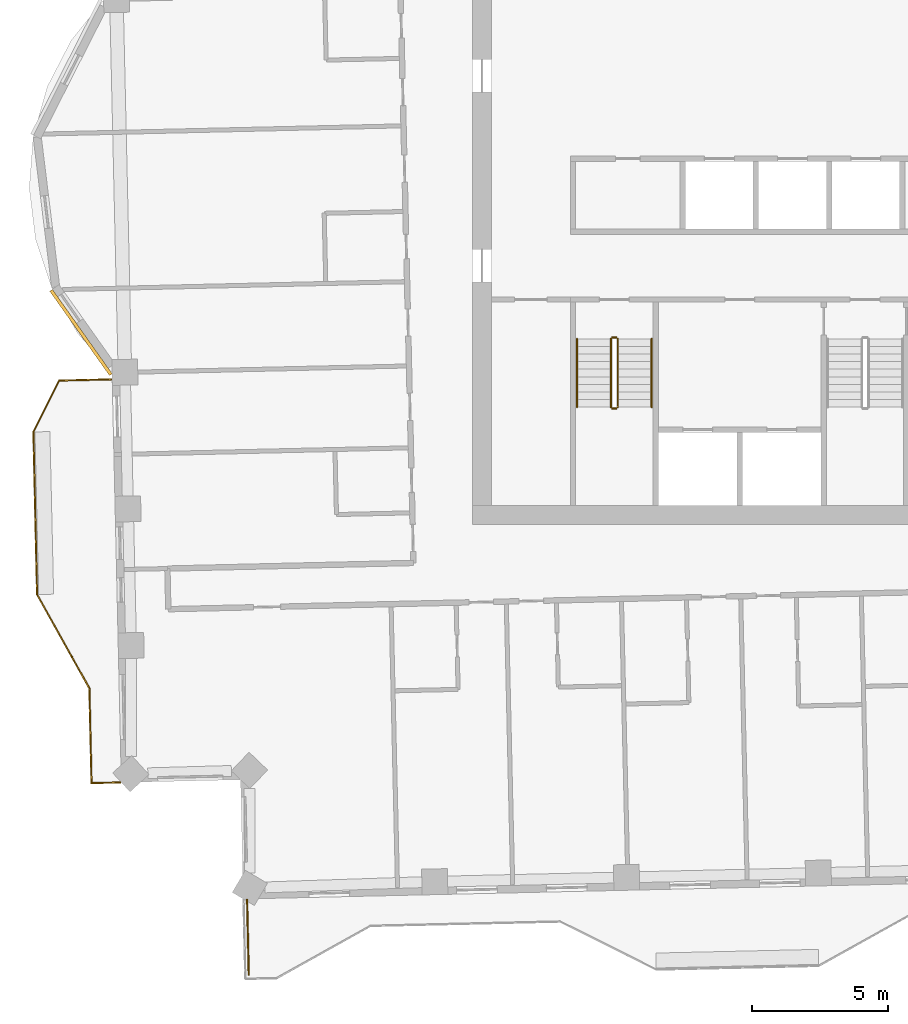
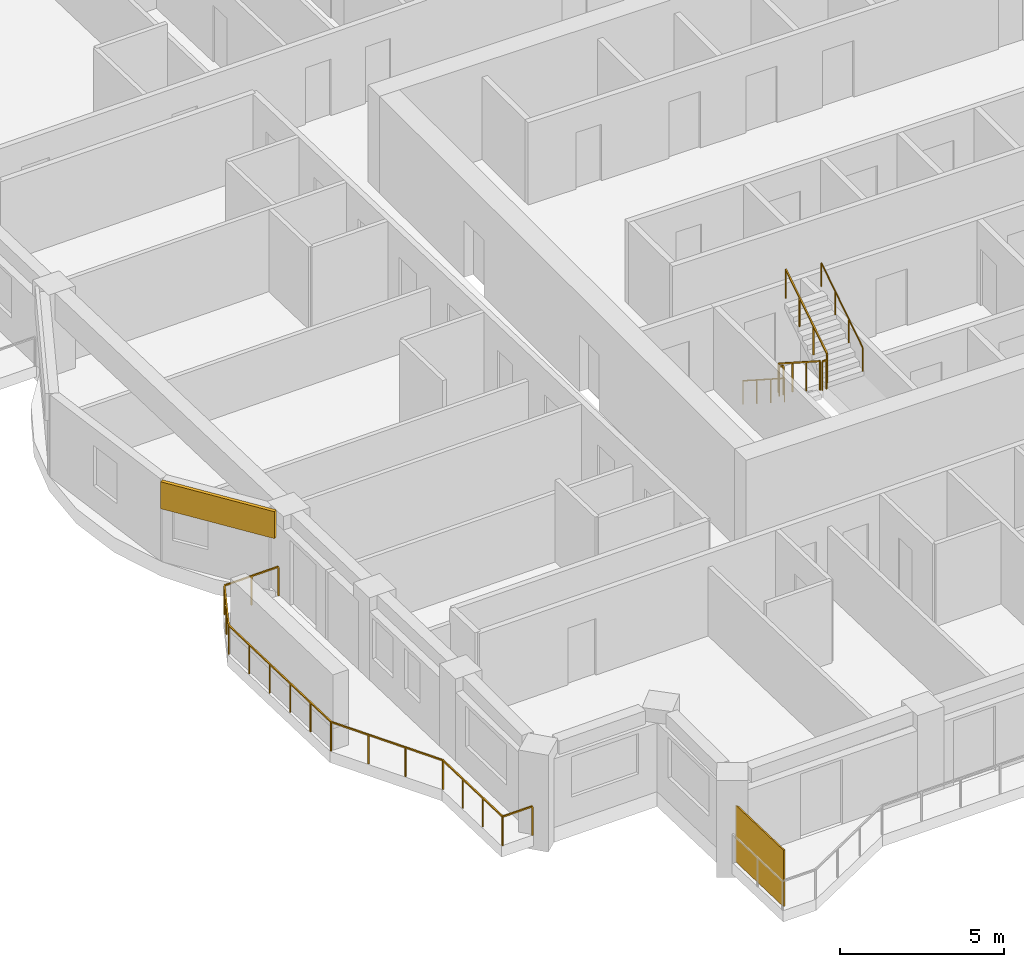
# One storey, part 16 of 20: 7 railings, 1 covering, 1 shading device.
"""IFC4 building model written with IfcOpenShell, lengths in metres."""

from ifc_helpers import new_model, si_unit, direction, frame, frame_2d, origin, origin_2d, place, context, subcontext, project, spatial, rectangle, circle, extrude, material, layer, layer_set, type_object, element, save


model = new_model("IFC4")

# Units and contexts
model_context = context("Model", 3, precision=1e-05, world=origin(), true_north=direction((0.0, 1.0)))
body_context = subcontext(model_context, "Body", "Model", "MODEL_VIEW")
ifc_project = project(units=[si_unit("LENGTHUNIT", "METRE"), si_unit("AREAUNIT", "SQUARE_METRE"), si_unit("VOLUMEUNIT", "CUBIC_METRE"), si_unit("PLANEANGLEUNIT", "RADIAN"), si_unit("MASSUNIT", "GRAM", prefix="KILO")], contexts=[model_context])

# Site, building, storey
site_placement = place(None, origin())
site = spatial("IfcSite", under=ifc_project, at=site_placement, CompositionType="ELEMENT")
building_placement = place(site_placement, origin())
building = spatial("IfcBuilding", under=site, at=building_placement, Name="Mangrove Gate Tower", CompositionType="ELEMENT")
storey_placement = place(building_placement, frame((0.0, 0.0, 279.89990234375)))
storey = spatial("IfcBuildingStorey", under=building, at=storey_placement, Name="L71", CompositionType="ELEMENT", Elevation=279.89990234375)

# Railing
ifc_material_1 = material(Name="Stainless steel grade 316 with laminated glass infill", Category="steel")
railing_type_1 = type_object("IfcRailingType", Name="Balcony guard 1100", PredefinedType="GUARDRAIL", material=ifc_material_1)
railing_1_placement = place(storey_placement, frame((-27.839111328125, -6.14501953125, 0.0)))
element("IfcRailing", 1, at=railing_1_placement, inside=storey, type_object=railing_type_1, Name="GUARD L71 W2", PredefinedType="GUARDRAIL", context=body_context, shape_type="SweptSolid", body=[
    extrude(rectangle(XDim=0.048095703125, YDim=0.048095703125, at=origin_2d()), frame((0.0, 0.0, 1.076171875), z_axis=(-0.999737613728, -0.02290641172, 0.0), x_axis=(0.02290641172, -0.999737613728, 0.0)), (0.0, 0.0, 1.0), 1.91845703125),
    extrude(rectangle(XDim=0.048095703125, YDim=0.048095703125, at=origin_2d()), frame((-1.91796875, -0.0439453125, 1.076171875), z_axis=(-0.4472135955, -0.894427191, 0.0), x_axis=(0.894427191, -0.4472135955, 0.0)), (0.0, 0.0, 1.0), 2.119873046875),
    extrude(rectangle(XDim=0.048095703125, YDim=0.048095703125, at=origin_2d()), frame((-2.865966796875, -1.93994140625, 1.076171875), z_axis=(0.022662255828, -0.999743178102, 0.0), x_axis=(0.999743178102, 0.022662255828, 0.0)), (0.0, 0.0, 1.0), 6.00048828125),
    extrude(rectangle(XDim=0.048095703125, YDim=0.048095703125, at=origin_2d()), frame((-2.72998046875, -7.93896484375, 1.076171875), z_axis=(0.487307108654, -0.873230657876, 0.0), x_axis=(0.873230657876, 0.487307108654, 0.0)), (0.0, 0.0, 1.0), 3.958984375),
    extrude(rectangle(XDim=0.048095703125, YDim=0.048095703125, at=origin_2d()), frame((-0.80078125, -11.39599609375, 1.076171875), z_axis=(0.022531258923, -0.999746138963, 0.0), x_axis=(0.999746138963, 0.022531258923, 0.0)), (0.0, 0.0, 1.0), 3.5),
    extrude(rectangle(XDim=0.048095703125, YDim=0.048095703125, at=origin_2d()), frame((-0.721923828125, -14.89501953125, 1.076171875), z_axis=(0.999745389313, 0.022564497502, 0.0), x_axis=(-0.022564497502, 0.999745389313, 0.0)), (0.0, 0.0, 1.0), 1.060302734375),
    extrude(rectangle(XDim=0.0419921875, YDim=0.0419921875, at=origin_2d()), origin(), (0.0, 0.0, 1.0), 1.052001953125),
    extrude(rectangle(XDim=0.0419921875, YDim=0.0419921875, at=origin_2d()), frame((-0.958984375, -0.02197265625, 0.0)), (0.0, 0.0, 1.0), 1.052001953125),
    extrude(rectangle(XDim=0.0419921875, YDim=0.0419921875, at=origin_2d()), frame((-1.91796875, -0.0439453125, 0.0)), (0.0, 0.0, 1.0), 1.052001953125),
    extrude(rectangle(XDim=0.0419921875, YDim=0.0419921875, at=origin_2d()), frame((-2.39208984375, -0.991943359375, 0.0)), (0.0, 0.0, 1.0), 1.052001953125),
    extrude(rectangle(XDim=0.0419921875, YDim=0.0419921875, at=origin_2d()), frame((-2.865966796875, -1.93994140625, 0.0)), (0.0, 0.0, 1.0), 1.052001953125),
    extrude(rectangle(XDim=0.0419921875, YDim=0.0419921875, at=origin_2d()), frame((-2.8388671875, -3.1396484375, 0.0)), (0.0, 0.0, 1.0), 1.052001953125),
    extrude(rectangle(XDim=0.0419921875, YDim=0.0419921875, at=origin_2d()), frame((-2.8115234375, -4.339599609375, 0.0)), (0.0, 0.0, 1.0), 1.052001953125),
    extrude(rectangle(XDim=0.0419921875, YDim=0.0419921875, at=origin_2d()), frame((-2.784423828125, -5.539306640625, 0.0)), (0.0, 0.0, 1.0), 1.052001953125),
    extrude(rectangle(XDim=0.0419921875, YDim=0.0419921875, at=origin_2d()), frame((-2.757080078125, -6.7392578125, 0.0)), (0.0, 0.0, 1.0), 1.052001953125),
    extrude(rectangle(XDim=0.0419921875, YDim=0.0419921875, at=origin_2d()), frame((-2.72998046875, -7.93896484375, 0.0)), (0.0, 0.0, 1.0), 1.052001953125),
    extrude(rectangle(XDim=0.0419921875, YDim=0.0419921875, at=origin_2d()), frame((-2.0869140625, -9.09130859375, 0.0)), (0.0, 0.0, 1.0), 1.052001953125),
    extrude(rectangle(XDim=0.0419921875, YDim=0.0419921875, at=origin_2d()), frame((-1.44384765625, -10.24365234375, 0.0)), (0.0, 0.0, 1.0), 1.052001953125),
    extrude(rectangle(XDim=0.0419921875, YDim=0.0419921875, at=origin_2d()), frame((-0.80078125, -11.39599609375, 0.0)), (0.0, 0.0, 1.0), 1.052001953125),
    extrude(rectangle(XDim=0.0419921875, YDim=0.0419921875, at=origin_2d()), frame((-0.7744140625, -12.562255859375, 0.0)), (0.0, 0.0, 1.0), 1.052001953125),
    extrude(rectangle(XDim=0.0419921875, YDim=0.0419921875, at=origin_2d()), frame((-0.748291015625, -13.728759765625, 0.0)), (0.0, 0.0, 1.0), 1.052001953125),
    extrude(rectangle(XDim=0.0419921875, YDim=0.0419921875, at=origin_2d()), frame((-0.721923828125, -14.89501953125, 0.0)), (0.0, 0.0, 1.0), 1.052001953125),
    extrude(rectangle(XDim=0.0419921875, YDim=0.0419921875, at=origin_2d()), frame((0.338134765625, -14.87109375, 0.0)), (0.0, 0.0, 1.0), 1.052001953125),
])

# Shading device
ifc_material_2 = material(Name="Timber slat screen in teak", Category="wood")
shading_device_type = type_object("IfcShadingDeviceType", Name="Balcony screen 2100", PredefinedType="USERDEFINED", material=ifc_material_2)
shading_device_placement = place(storey_placement, frame((-22.791015625, -26.72509765625, 0.0), z_axis=(0.0, 0.0, 1.0), x_axis=(0.022739679942, -0.999741420046, 0.0)))
element("IfcShadingDevice", 2, at=shading_device_placement, inside=storey, type_object=shading_device_type, Name="SCREEN L71 S0", ObjectType="SCREEN", PredefinedType="USERDEFINED", context=body_context, shape_type="SweptSolid", body=[
    extrude(rectangle(XDim=2.7900390625, YDim=0.050048828125, at=origin_2d()), origin(), (0.0, 0.0, 1.0), 2.10009765625),
])

# Railings
ifc_material_3 = material(Name="Stainless steel 316", Category="steel")
railing_type_2 = type_object("IfcRailingType", Name="Core stair guard 1100", PredefinedType="GUARDRAIL", material=ifc_material_3)
railing_2_placement = place(storey_placement, frame((-9.39990234375, -4.64990234375, 0.18017578125)))
element("IfcRailing", 3, at=railing_2_placement, inside=storey, type_object=railing_type_2, Name="L71 ST1 stair guard 1", PredefinedType="GUARDRAIL", context=body_context, shape_type="SweptSolid", body=[
    extrude(rectangle(XDim=0.048095703125, YDim=0.048095703125, at=origin_2d()), frame((0.0, 0.0, 1.076171875), z_axis=(0.0, -0.841199657755, 0.540724639528), x_axis=(1.0, 0.0, 0.0)), (0.0, 0.0, 1.0), 2.995849609375),
    extrude(rectangle(XDim=0.0419921875, YDim=0.0419921875, at=origin_2d()), origin(), (0.0, 0.0, 1.0), 1.052001953125),
    extrude(rectangle(XDim=0.0419921875, YDim=0.0419921875, at=origin_2d()), frame((0.0, -0.840087890625, 0.5400390625)), (0.0, 0.0, 1.0), 1.052001953125),
    extrude(rectangle(XDim=0.0419921875, YDim=0.0419921875, at=origin_2d()), frame((0.0, -1.679931640625, 1.079833984375)), (0.0, 0.0, 1.0), 1.052001953125),
    extrude(rectangle(XDim=0.0419921875, YDim=0.0419921875, at=origin_2d()), frame((0.0, -2.52001953125, 1.619873046875)), (0.0, 0.0, 1.0), 1.052001953125),
])
railing_3_placement = place(storey_placement, frame((-9.35009765625, -7.219970703125, 1.800048828125)))
element("IfcRailing", 4, at=railing_3_placement, inside=storey, type_object=railing_type_2, Name="L71 ST1 stair guard 2", PredefinedType="GUARDRAIL", context=body_context, shape_type="SweptSolid", body=[
    extrude(rectangle(XDim=0.048095703125, YDim=0.048095703125, at=origin_2d()), frame((0.0, 0.0, 1.076171875), z_axis=(1.0, 0.0, 0.0), x_axis=(0.0, 1.0, 0.0)), (0.0, 0.0, 1.0), 0.150146484375),
    extrude(rectangle(XDim=0.0419921875, YDim=0.0419921875, at=origin_2d()), origin(), (0.0, 0.0, 1.0), 1.052001953125),
    extrude(rectangle(XDim=0.0419921875, YDim=0.0419921875, at=origin_2d()), frame((0.150146484375, 0.0, 0.0)), (0.0, 0.0, 1.0), 1.052001953125),
])
railing_4_placement = place(storey_placement, frame((-9.14990234375, -7.169921875, 1.97998046875)))
element("IfcRailing", 5, at=railing_4_placement, inside=storey, type_object=railing_type_2, Name="L71 ST1 stair guard 3", PredefinedType="GUARDRAIL", context=body_context, shape_type="SweptSolid", body=[
    extrude(rectangle(XDim=0.048095703125, YDim=0.048095703125, at=origin_2d()), frame((0.0, 0.0, 1.076171875), z_axis=(0.0, 0.841162588446, 0.540782303519), x_axis=(-1.0, 0.0, 0.0)), (0.0, 0.0, 1.0), 2.995849609375),
    extrude(rectangle(XDim=0.0419921875, YDim=0.0419921875, at=origin_2d()), origin(), (0.0, 0.0, 1.0), 1.052001953125),
    extrude(rectangle(XDim=0.0419921875, YDim=0.0419921875, at=origin_2d()), frame((0.0, 0.840087890625, 0.5400390625)), (0.0, 0.0, 1.0), 1.052001953125),
    extrude(rectangle(XDim=0.0419921875, YDim=0.0419921875, at=origin_2d()), frame((0.0, 1.679931640625, 1.080078125)), (0.0, 0.0, 1.0), 1.052001953125),
    extrude(rectangle(XDim=0.0419921875, YDim=0.0419921875, at=origin_2d()), frame((0.0, 2.52001953125, 1.6201171875)), (0.0, 0.0, 1.0), 1.052001953125),
])
railing_5_placement = place(storey_placement, frame((-9.35009765625, -4.60009765625, 0.0)))
element("IfcRailing", 6, at=railing_5_placement, inside=storey, type_object=railing_type_2, Name="L71 ST1 stair guard 4", PredefinedType="GUARDRAIL", context=body_context, shape_type="SweptSolid", body=[
    extrude(rectangle(XDim=0.048095703125, YDim=0.048095703125, at=origin_2d()), frame((0.0, 0.0, 1.076171875), z_axis=(1.0, 0.0, 0.0), x_axis=(0.0, 1.0, 0.0)), (0.0, 0.0, 1.0), 0.150146484375),
    extrude(rectangle(XDim=0.0419921875, YDim=0.0419921875, at=origin_2d()), origin(), (0.0, 0.0, 1.0), 1.052001953125),
    extrude(rectangle(XDim=0.0419921875, YDim=0.0419921875, at=origin_2d()), frame((0.150146484375, 0.0, 0.0)), (0.0, 0.0, 1.0), 1.052001953125),
])
ifc_material_4 = material(Name="Stainless steel 316", Category="steel")
railing_type_3 = type_object("IfcRailingType", Name="Core stair handrail 900", PredefinedType="HANDRAIL", material=ifc_material_4)
railing_6_placement = place(storey_placement, frame((-10.64990234375, -4.64990234375, 0.18017578125)))
element("IfcRailing", 7, at=railing_6_placement, inside=storey, type_object=railing_type_3, Name="L71 ST1 stair handrail 1", PredefinedType="HANDRAIL", context=body_context, shape_type="SweptSolid", body=[
    extrude(circle(Radius=0.02392578125, at=origin_2d()), frame((0.0, 0.0, 0.8759765625), z_axis=(0.0, -0.841199657755, 0.540724639528), x_axis=(1.0, 0.0, 0.0)), (0.0, 0.0, 1.0), 2.995849609375),
    extrude(circle(Radius=0.02099609375, at=origin_2d()), origin(), (0.0, 0.0, 1.0), 0.851806640625),
    extrude(circle(Radius=0.02099609375, at=origin_2d()), frame((0.0, -0.840087890625, 0.5400390625)), (0.0, 0.0, 1.0), 0.851806640625),
    extrude(circle(Radius=0.02099609375, at=origin_2d()), frame((0.0, -1.679931640625, 1.079833984375)), (0.0, 0.0, 1.0), 0.851806640625),
    extrude(circle(Radius=0.02099609375, at=origin_2d()), frame((0.0, -2.52001953125, 1.619873046875)), (0.0, 0.0, 1.0), 0.851806640625),
])
railing_7_placement = place(storey_placement, frame((-7.89990234375, -7.169921875, 1.97998046875)))
element("IfcRailing", 8, at=railing_7_placement, inside=storey, type_object=railing_type_3, Name="L71 ST1 stair handrail 2", PredefinedType="HANDRAIL", context=body_context, shape_type="SweptSolid", body=[
    extrude(circle(Radius=0.02392578125, at=origin_2d()), frame((0.0, 0.0, 0.8759765625), z_axis=(0.0, 0.841162588446, 0.540782303519), x_axis=(-1.0, 0.0, 0.0)), (0.0, 0.0, 1.0), 2.995849609375),
    extrude(circle(Radius=0.02099609375, at=origin_2d()), origin(), (0.0, 0.0, 1.0), 0.851806640625),
    extrude(circle(Radius=0.02099609375, at=origin_2d()), frame((0.0, 0.840087890625, 0.5400390625)), (0.0, 0.0, 1.0), 0.851806640625),
    extrude(circle(Radius=0.02099609375, at=origin_2d()), frame((0.0, 1.679931640625, 1.080078125)), (0.0, 0.0, 1.0), 0.851806640625),
    extrude(circle(Radius=0.02099609375, at=origin_2d()), frame((0.0, 2.52001953125, 1.6201171875)), (0.0, 0.0, 1.0), 0.851806640625),
])

# Covering
ifc_material_5 = material(Name="Limestone", Category="masonry")
ifc_layer_1 = layer(ifc_material_5, 0.0400390625, Name="Limestone cladding")
ifc_material_6 = material(Name="Stainless steel anchors and cavity", Category="steel")
ifc_layer_2 = layer(ifc_material_6, 0.080078125, Name="Fixing cavity")
ifc_layer_set = layer_set([ifc_layer_1, ifc_layer_2], Name="Joint fascia cladding 120")
covering_type = type_object("IfcCoveringType", Name="Joint fascia cladding 120", PredefinedType="CLADDING", material=ifc_layer_set)
covering_placement = place(storey_placement, frame((-30.053955078125, -2.85888671875, 2.050048828125), z_axis=(0.0, 0.0, 1.0), x_axis=(0.578137942148, -0.815939041748, 0.0)))
element("IfcCovering", 9, at=covering_placement, inside=storey, type_object=covering_type, Name="STONE FASCIA L71 W9.L2", PredefinedType="CLADDING", context=body_context, shape_type="SweptSolid", body=[
    extrude(rectangle(XDim=3.819091796875, YDim=0.1201171875, at=frame_2d((1.90966796875, 0.0))), origin(), (0.0, 0.0, 1.0), 1.0),
])

save(model, "model.ifc")
